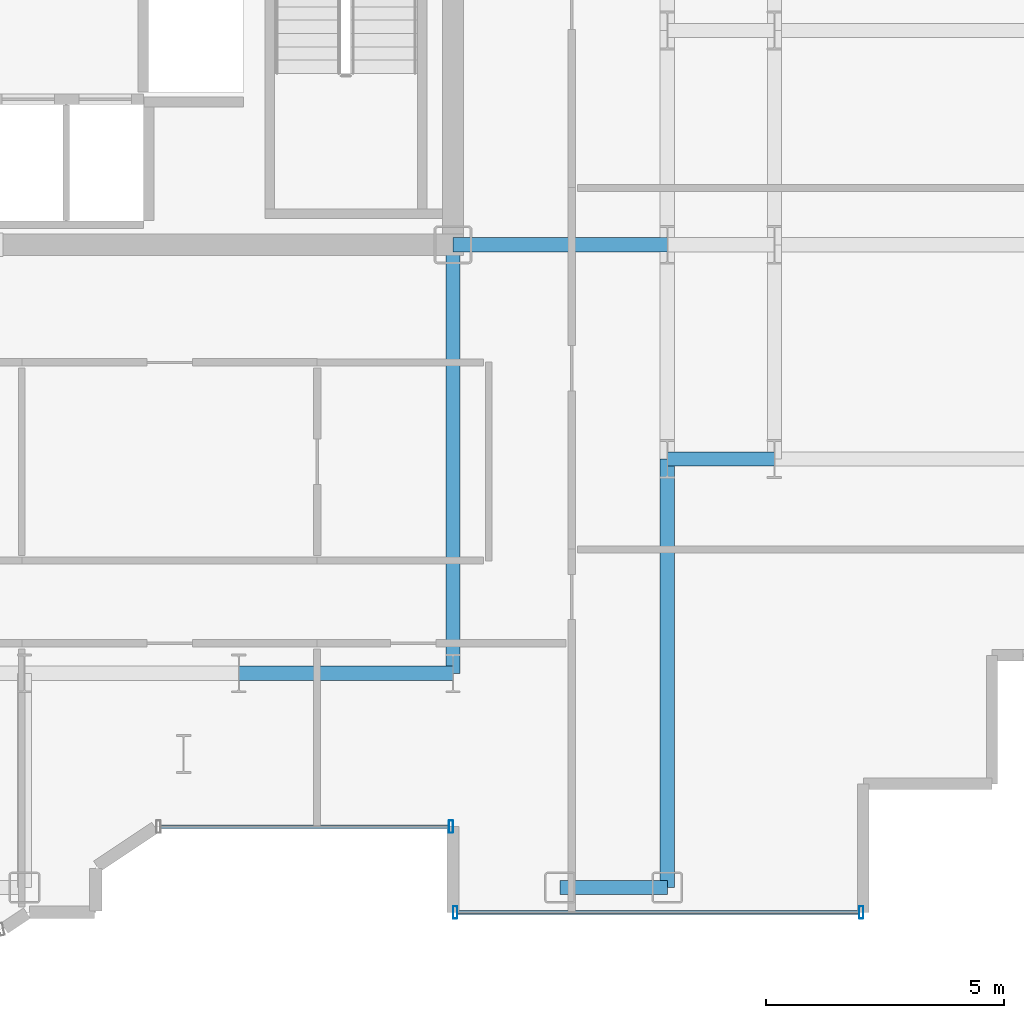
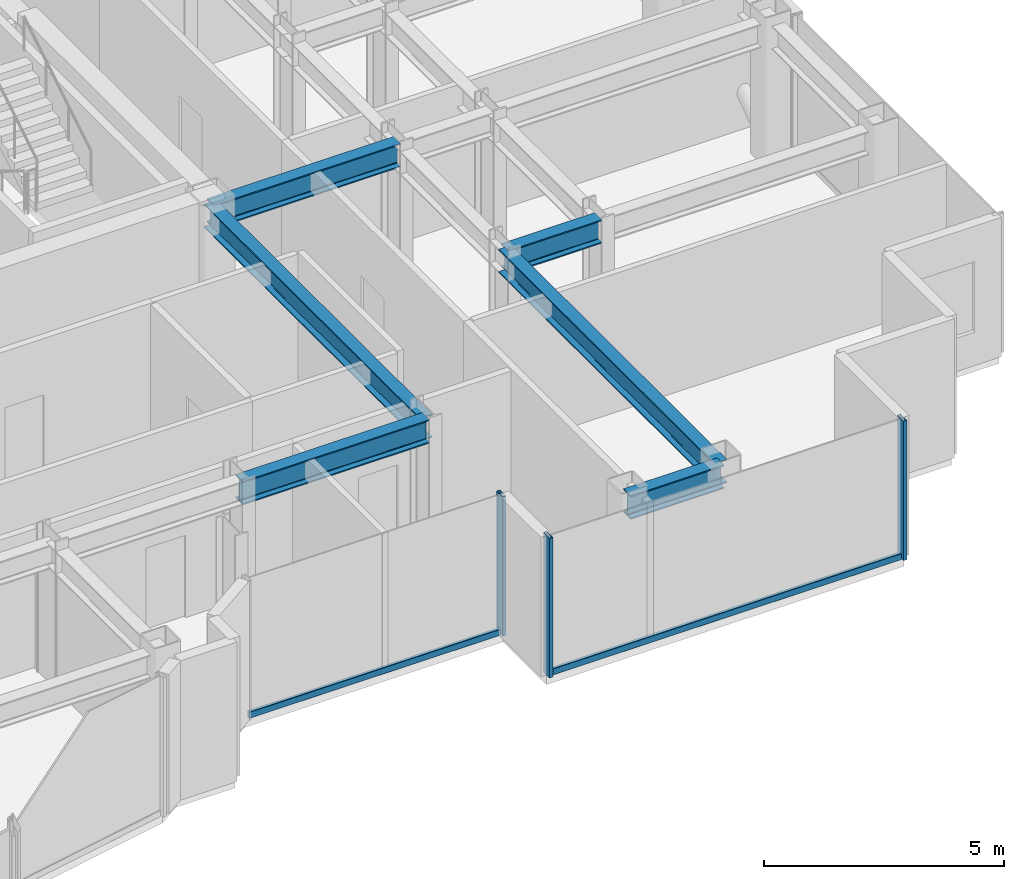
# One storey, part 6 of 21: 6 beams, 5 members, 2 elements without a shape of their own.
"""IFC4 building model written with IfcOpenShell, lengths in metres."""

from ifc_helpers import new_model, si_unit, direction, frame, origin, origin_2d, place, context, subcontext, project, spatial, hollow_rectangle, i_section, extrude, source, transform, mapped, material, layer, layer_set, material_profile, profile_set, type_object, element, aggregate, save


model = new_model("IFC4")

# Units and contexts
model_context = context("Model", 3, precision=1e-05, world=origin(), true_north=direction((0.0, 1.0)))
body_context = subcontext(model_context, "Body", "Model", "MODEL_VIEW")
ifc_project = project(units=[si_unit("LENGTHUNIT", "METRE"), si_unit("AREAUNIT", "SQUARE_METRE"), si_unit("VOLUMEUNIT", "CUBIC_METRE"), si_unit("PLANEANGLEUNIT", "RADIAN"), si_unit("MASSUNIT", "GRAM", prefix="KILO")], contexts=[model_context])

# Site, building, storey
site_placement = place(None, origin())
site = spatial("IfcSite", under=ifc_project, at=site_placement, CompositionType="ELEMENT")
building_placement = place(site_placement, origin())
building = spatial("IfcBuilding", under=site, at=building_placement, Name="Nefas-Gora Pilgrimage Tower", CompositionType="ELEMENT")
storey_placement = place(building_placement, frame((0.0, 0.0, 229.39990234375)))
storey = spatial("IfcBuildingStorey", under=building, at=storey_placement, Name="L57", CompositionType="ELEMENT", Elevation=229.39990234375)

# Beams
ifc_material_1 = material(Name="Steel S355", Category="steel")
ifc_material_profile_1 = material_profile(ifc_material_1, i_section(OverallWidth=0.300048828125, OverallDepth=0.60009765625, WebThickness=0.015380859375, FlangeThickness=0.030029296875, FilletRadius=0.027099609375, at=origin_2d()), Name="HEB 600")
ifc_profile_set_1 = profile_set([ifc_material_profile_1], Name="Steel S355")
beam_type_1 = type_object("IfcBeamType", Name="BM-GIR-HEB600", PredefinedType="BEAM", material=ifc_profile_set_1)
shared_shape_1 = source(origin(), body_context, "Body", "SweptSolid", [
    extrude(i_section(OverallWidth=0.300048828125, OverallDepth=0.60009765625, WebThickness=0.015380859375, FlangeThickness=0.030029296875, FilletRadius=0.027099609375, at=origin_2d()), origin(), (0.0, 0.0, 1.0), 9.0),
])
for number, where, z_axis, x_axis, name in (
    (1, (11.25, -18.0, 3.25), (0.0, 1.0, 0.0), (-1.0, 0.0, 0.0), "L57 G-04 beam"),
    (2, (15.75, -22.5, 3.25), (0.0, 1.0, 0.0), (-1.0, 0.0, 0.0), "L57 G-04 beam"),
):
    element("IfcBeam", number, at=place(storey_placement, frame(where, z_axis=z_axis, x_axis=x_axis)), inside=storey, type_object=beam_type_1, Name=name, PredefinedType="BEAM", context=body_context, shape_type="MappedRepresentation", body=[
        mapped(shared_shape_1, transform((0.0, 0.0, 0.0), x_axis=(1.0, 0.0, 0.0), y_axis=(0.0, 1.0, 0.0), z_axis=(0.0, 0.0, 1.0), scale=1.0)),
    ])
shared_shape_2 = source(origin(), body_context, "Body", "SweptSolid", [
    extrude(i_section(OverallWidth=0.300048828125, OverallDepth=0.60009765625, WebThickness=0.015380859375, FlangeThickness=0.030029296875, FilletRadius=0.027099609375, at=origin_2d()), origin(), (0.0, 0.0, 1.0), 4.5),
])
for number, where, z_axis, x_axis, name in (
    (3, (6.75, -18.0, 3.25), (1.0, 0.0, 0.0), (0.0, 1.0, 0.0), "L57 G-04 beam"),
    (4, (11.25, -9.0, 3.25), (1.0, 0.0, 0.0), (0.0, 1.0, 0.0), "L57 G-04 beam"),
):
    element("IfcBeam", number, at=place(storey_placement, frame(where, z_axis=z_axis, x_axis=x_axis)), inside=storey, type_object=beam_type_1, Name=name, PredefinedType="BEAM", context=body_context, shape_type="MappedRepresentation", body=[
        mapped(shared_shape_2, transform((0.0, 0.0, 0.0), x_axis=(1.0, 0.0, 0.0), y_axis=(0.0, 1.0, 0.0), z_axis=(0.0, 0.0, 1.0), scale=1.0)),
    ])
ifc_material_profile_2 = material_profile(ifc_material_1, i_section(OverallWidth=0.300048828125, OverallDepth=0.60009765625, WebThickness=0.015380859375, FlangeThickness=0.030029296875, FilletRadius=0.027099609375, at=origin_2d()), Name="HEB 600")
ifc_profile_set_2 = profile_set([ifc_material_profile_2], Name="Steel S355")
beam_type_2 = type_object("IfcBeamType", Name="BM-SPN-HEB450", PredefinedType="SPANDREL", material=ifc_profile_set_2)
shared_shape_3 = source(origin(), body_context, "Body", "SweptSolid", [
    extrude(i_section(OverallWidth=0.300048828125, OverallDepth=0.60009765625, WebThickness=0.015380859375, FlangeThickness=0.030029296875, FilletRadius=0.027099609375, at=origin_2d()), origin(), (0.0, 0.0, 1.0), 2.25),
])
beam_1_placement = place(storey_placement, frame((13.5, -22.5, 3.25), z_axis=(1.0, 0.0, 0.0), x_axis=(0.0, 1.0, 0.0)))
element("IfcBeam", 5, at=beam_1_placement, inside=storey, type_object=beam_type_2, Name="L57 SP-03 beam", PredefinedType="SPANDREL", context=body_context, shape_type="MappedRepresentation", body=[
    mapped(shared_shape_3, transform((0.0, 0.0, 0.0), x_axis=(1.0, 0.0, 0.0), y_axis=(0.0, 1.0, 0.0), z_axis=(0.0, 0.0, 1.0), scale=1.0)),
])
shared_shape_4 = source(origin(), body_context, "Body", "SweptSolid", [
    extrude(i_section(OverallWidth=0.300048828125, OverallDepth=0.60009765625, WebThickness=0.015380859375, FlangeThickness=0.030029296875, FilletRadius=0.027099609375, at=origin_2d()), origin(), (0.0, 0.0, 1.0), 2.25),
])
beam_2_placement = place(storey_placement, frame((15.75, -13.5, 3.25), z_axis=(1.0, 0.0, 0.0), x_axis=(0.0, 1.0, 0.0)))
element("IfcBeam", 6, at=beam_2_placement, inside=storey, type_object=beam_type_1, Name="L57 G-04 beam", PredefinedType="BEAM", context=body_context, shape_type="MappedRepresentation", body=[
    mapped(shared_shape_4, transform((0.0, 0.0, 0.0), x_axis=(1.0, 0.0, 0.0), y_axis=(0.0, 1.0, 0.0), z_axis=(0.0, 0.0, 1.0), scale=1.0)),
])

# Curtain wall, members
ifc_material_2 = material(Name="Dark ceramic-fritted solar-control aluminium-glass curtain wall", Category="aluminium")
ifc_layer_1 = layer(ifc_material_2, 0.219970703125)
ifc_layer_set_1 = layer_set([ifc_layer_1], Name="Dark ceramic-fritted solar-control aluminium-glass curtain wall")
curtain_wall_type_1 = type_object("IfcCurtainWallType", Name="CW-SYS-5", PredefinedType="NOTDEFINED", material=ifc_layer_set_1)
curtain_wall_1_placement = place(storey_placement, origin())
curtain_wall_1 = element("IfcCurtainWall", 7, at=curtain_wall_1_placement, inside=storey, type_object=curtain_wall_type_1, Name="L57 Unitised Curtain Wall CW5", PredefinedType="NOTDEFINED")
ifc_material_3 = material(Name="Anodised architectural aluminium", Category="aluminium")
ifc_material_profile_3 = material_profile(ifc_material_3, hollow_rectangle(XDim=0.090087890625, YDim=0.260009765625, WallThickness=0.006103515625, InnerFilletRadius=0.006103515625, OuterFilletRadius=0.011962890625, at=origin_2d()), Name="ALU MULLION 90x260")
ifc_profile_set_3 = profile_set([ifc_material_profile_3], Name="Anodised architectural aluminium")
member_type_1 = type_object("IfcMemberType", Name="CWM-MUL-5", PredefinedType="MULLION", material=ifc_profile_set_3)
shared_shape_5 = source(origin(), body_context, "Body", "SweptSolid", [
    extrude(hollow_rectangle(XDim=0.090087890625, YDim=0.260009765625, WallThickness=0.006103515625, InnerFilletRadius=0.006103515625, OuterFilletRadius=0.011962890625, at=origin_2d()), origin(), (0.0, 0.0, 1.0), 3.550048828125),
])
member_1_placement = place(storey_placement, frame((11.205078125, -21.219970703125, 0.0), z_axis=(0.0, 0.0, 1.0), x_axis=(1.0, 0.0, 0.0)))
member_1 = element("IfcMember", 8, at=member_1_placement, type_object=member_type_1, Name="CW5 Mullion 2", PredefinedType="MULLION", context=body_context, shape_type="MappedRepresentation", body=[
    mapped(shared_shape_5, transform((0.0, 0.0, 0.0), x_axis=(1.0, 0.0, 0.0), y_axis=(0.0, 1.0, 0.0), z_axis=(0.0, 0.0, 1.0), scale=1.0)),
])
ifc_material_profile_4 = material_profile(ifc_material_3, hollow_rectangle(XDim=0.080078125, YDim=0.159912109375, WallThickness=0.00439453125, InnerFilletRadius=0.00439453125, OuterFilletRadius=0.009033203125, at=origin_2d()), Name="ALU TRANSOM 80x160")
ifc_profile_set_4 = profile_set([ifc_material_profile_4], Name="Anodised architectural aluminium")
member_type_2 = type_object("IfcMemberType", Name="CWM-TRN-5", PredefinedType="USERDEFINED", material=ifc_profile_set_4)
shared_shape_6 = source(origin(), body_context, "Body", "SweptSolid", [
    extrude(hollow_rectangle(XDim=0.080078125, YDim=0.159912109375, WallThickness=0.00439453125, InnerFilletRadius=0.00439453125, OuterFilletRadius=0.009033203125, at=origin_2d()), origin(), (0.0, 0.0, 1.0), 6.052001953125),
])
member_2_placement = place(storey_placement, frame((5.10791015625, -21.219970703125, 0.050048828125), z_axis=(1.0, 0.0, 0.0), x_axis=(0.0, 1.0, 0.0)))
member_2 = element("IfcMember", 9, at=member_2_placement, type_object=member_type_2, Name="CW5 Spandrel Transom", ObjectType="TRANSOM", PredefinedType="USERDEFINED", context=body_context, shape_type="MappedRepresentation", body=[
    mapped(shared_shape_6, transform((0.0, 0.0, 0.0), x_axis=(1.0, 0.0, 0.0), y_axis=(0.0, 1.0, 0.0), z_axis=(0.0, 0.0, 1.0), scale=1.0)),
])
aggregate(curtain_wall_1, [member_1, member_2])

ifc_layer_2 = layer(ifc_material_2, 0.219970703125)
ifc_layer_set_2 = layer_set([ifc_layer_2], Name="Dark ceramic-fritted solar-control aluminium-glass curtain wall")
curtain_wall_type_2 = type_object("IfcCurtainWallType", Name="CW-SYS-3", PredefinedType="NOTDEFINED", material=ifc_layer_set_2)
curtain_wall_2_placement = place(storey_placement, origin())
curtain_wall_2 = element("IfcCurtainWall", 10, at=curtain_wall_2_placement, inside=storey, type_object=curtain_wall_type_2, Name="L57 Unitised Curtain Wall CW3", PredefinedType="NOTDEFINED")
ifc_material_profile_5 = material_profile(ifc_material_3, hollow_rectangle(XDim=0.090087890625, YDim=0.260009765625, WallThickness=0.006103515625, InnerFilletRadius=0.006103515625, OuterFilletRadius=0.011962890625, at=origin_2d()), Name="ALU MULLION 90x260")
ifc_profile_set_5 = profile_set([ifc_material_profile_5], Name="Anodised architectural aluminium")
member_type_3 = type_object("IfcMemberType", Name="CWM-MUL-3", PredefinedType="MULLION", material=ifc_profile_set_5)
shared_shape_7 = source(origin(), body_context, "Body", "SweptSolid", [
    extrude(hollow_rectangle(XDim=0.090087890625, YDim=0.260009765625, WallThickness=0.006103515625, InnerFilletRadius=0.006103515625, OuterFilletRadius=0.011962890625, at=origin_2d()), origin(), (0.0, 0.0, 1.0), 3.550048828125),
])
member_3_placement = place(storey_placement, frame((11.294921875, -23.02001953125, 0.0), z_axis=(0.0, 0.0, 1.0), x_axis=(1.0, 0.0, 0.0)))
member_3 = element("IfcMember", 11, at=member_3_placement, type_object=member_type_3, Name="CW3 Mullion 1", PredefinedType="MULLION", context=body_context, shape_type="MappedRepresentation", body=[
    mapped(shared_shape_7, transform((0.0, 0.0, 0.0), x_axis=(1.0, 0.0, 0.0), y_axis=(0.0, 1.0, 0.0), z_axis=(0.0, 0.0, 1.0), scale=1.0)),
])
member_4_placement = place(storey_placement, frame((19.824951171875, -23.02001953125, 0.0), z_axis=(0.0, 0.0, 1.0), x_axis=(1.0, 0.0, 0.0)))
member_4 = element("IfcMember", 12, at=member_4_placement, type_object=member_type_3, Name="CW3 Mullion 2", PredefinedType="MULLION", context=body_context, shape_type="MappedRepresentation", body=[
    mapped(shared_shape_7, transform((0.0, 0.0, 0.0), x_axis=(1.0, 0.0, 0.0), y_axis=(0.0, 1.0, 0.0), z_axis=(0.0, 0.0, 1.0), scale=1.0)),
])
ifc_material_profile_6 = material_profile(ifc_material_3, hollow_rectangle(XDim=0.080078125, YDim=0.159912109375, WallThickness=0.00439453125, InnerFilletRadius=0.00439453125, OuterFilletRadius=0.009033203125, at=origin_2d()), Name="ALU TRANSOM 80x160")
ifc_profile_set_6 = profile_set([ifc_material_profile_6], Name="Anodised architectural aluminium")
member_type_4 = type_object("IfcMemberType", Name="CWM-TRN-3", PredefinedType="USERDEFINED", material=ifc_profile_set_6)
shared_shape_8 = source(origin(), body_context, "Body", "SweptSolid", [
    extrude(hollow_rectangle(XDim=0.080078125, YDim=0.159912109375, WallThickness=0.00439453125, InnerFilletRadius=0.00439453125, OuterFilletRadius=0.009033203125, at=origin_2d()), origin(), (0.0, 0.0, 1.0), 8.43994140625),
])
member_5_placement = place(storey_placement, frame((11.340087890625, -23.02001953125, 0.050048828125), z_axis=(1.0, 0.0, 0.0), x_axis=(0.0, 1.0, 0.0)))
member_5 = element("IfcMember", 13, at=member_5_placement, type_object=member_type_4, Name="CW3 Spandrel Transom", ObjectType="TRANSOM", PredefinedType="USERDEFINED", context=body_context, shape_type="MappedRepresentation", body=[
    mapped(shared_shape_8, transform((0.0, 0.0, 0.0), x_axis=(1.0, 0.0, 0.0), y_axis=(0.0, 1.0, 0.0), z_axis=(0.0, 0.0, 1.0), scale=1.0)),
])
aggregate(curtain_wall_2, [member_3, member_4, member_5])

save(model, "model.ifc")
